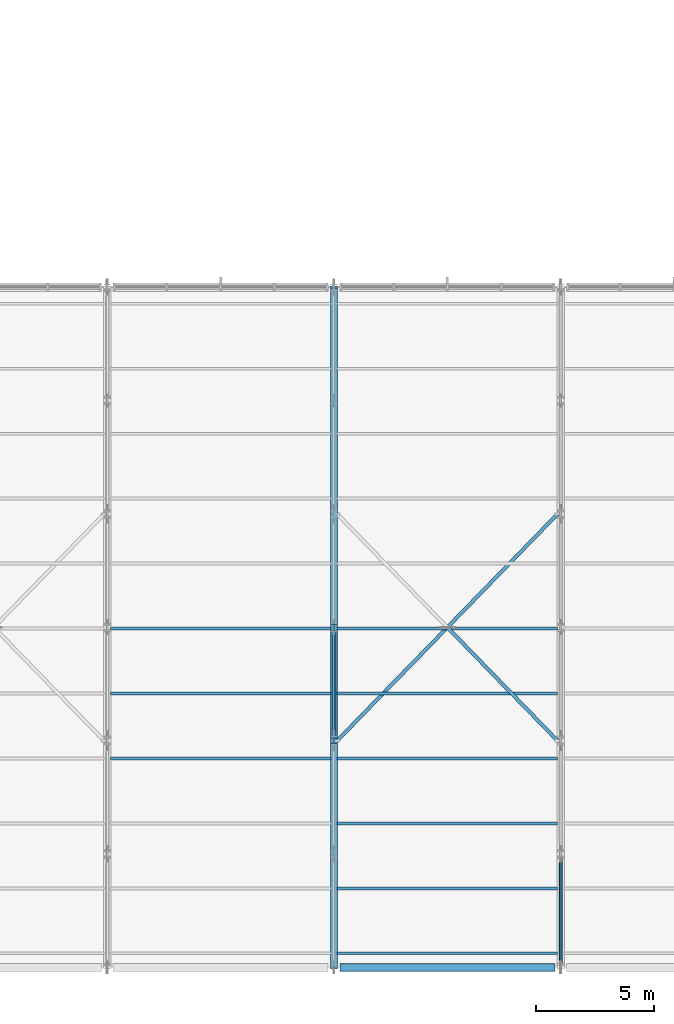
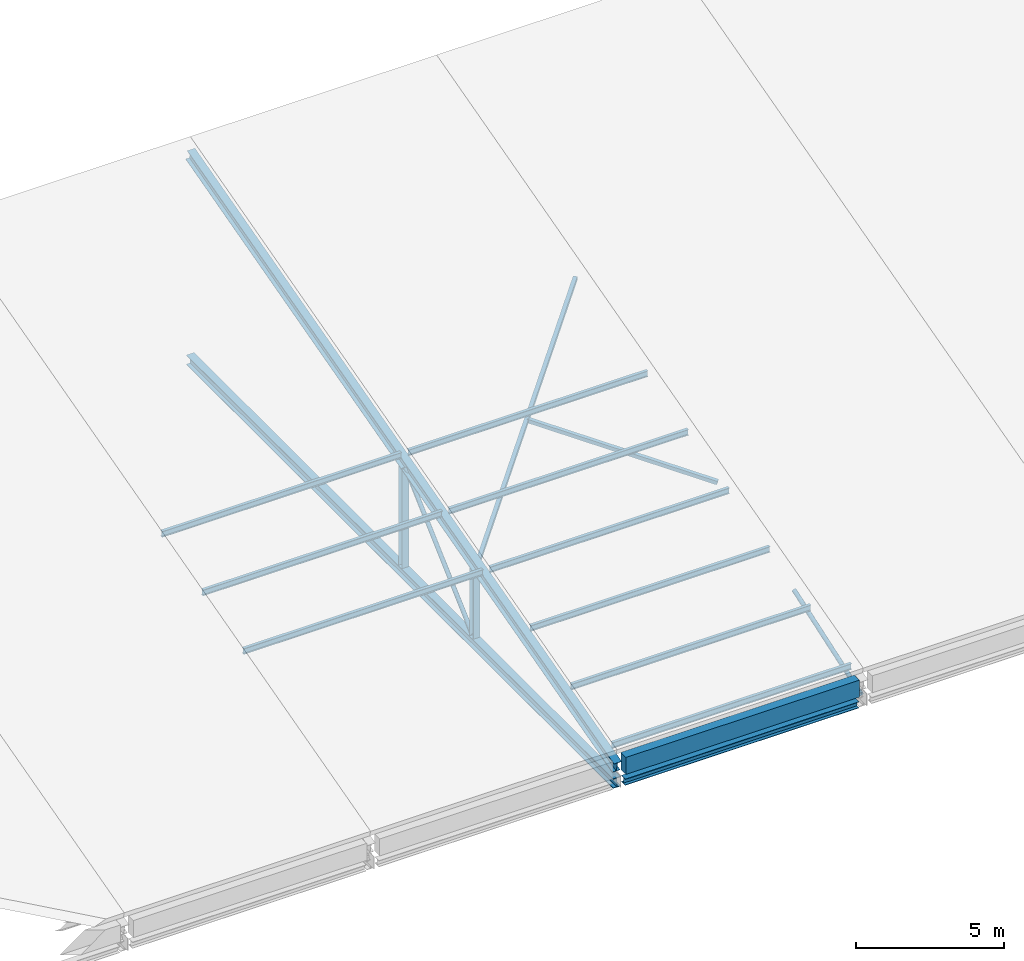
# One storey, part 7 of 57: 16 members, 3 beams.
"""IFC4 building model written with IfcOpenShell, lengths in metres."""

from ifc_helpers import new_model, si_unit, direction, frame, origin, origin_2d, place, context, subcontext, project, spatial, rectangle, hollow_rectangle, hollow_circle, i_section, extrude, material, material_profile, profile_set, type_object, element, save


model = new_model("IFC4")

# Units and contexts
model_context = context("Model", 3, precision=1e-05, world=origin(), true_north=direction((0.0, 1.0)))
body_context = subcontext(model_context, "Body", "Model", "MODEL_VIEW")
ifc_project = project(units=[si_unit("LENGTHUNIT", "METRE"), si_unit("AREAUNIT", "SQUARE_METRE"), si_unit("VOLUMEUNIT", "CUBIC_METRE"), si_unit("PLANEANGLEUNIT", "RADIAN"), si_unit("MASSUNIT", "GRAM", prefix="KILO")], contexts=[model_context])

# Site, building, storey
site_placement = place(None, origin())
site = spatial("IfcSite", under=ifc_project, at=site_placement, CompositionType="ELEMENT")
building_placement = place(site_placement, origin())
building = spatial("IfcBuilding", under=site, at=building_placement, Name="Shalvenor Court Art Gallery", CompositionType="ELEMENT")
storey_placement = place(building_placement, frame((0.0, 0.0, 16.800048828125)))
storey = spatial("IfcBuildingStorey", under=building, at=storey_placement, Name="L03", CompositionType="ELEMENT", Elevation=16.800048828125)

# Members
ifc_material_1 = material(Name="Steel S355", Category="steel")
ifc_material_profile_1 = material_profile(ifc_material_1, i_section(OverallWidth=0.1201171875, OverallDepth=0.239990234375, WebThickness=0.006103515625, FlangeThickness=0.009765625, at=origin_2d()), Name="IPE 240")
ifc_profile_set_1 = profile_set([ifc_material_profile_1], Name="Steel S355")
member_type_1 = type_object("IfcMemberType", Name="PR-02", PredefinedType="PURLIN", material=ifc_profile_set_1)
for number, where, z_axis, x_axis, name in (
    (1, (28.93505859375, 8.85009765625, 2.0205078125), (1.0, 0.0, 0.0), (0.0, 1.0, 0.0), "L03 V4 Roof Purlin 4.4"),
    (2, (28.93505859375, 11.60009765625, 2.765380859375), (1.0, 0.0, 0.0), (0.0, 1.0, 0.0), "L03 V4 Roof Purlin 4.5"),
    (3, (28.93505859375, 14.35009765625, 3.51025390625), (1.0, 0.0, 0.0), (0.0, 1.0, 0.0), "L03 V4 Roof Purlin 4.6"),
):
    element("IfcMember", number, at=place(storey_placement, frame(where, z_axis=z_axis, x_axis=x_axis)), inside=storey, type_object=member_type_1, Name=name, PredefinedType="PURLIN", context=body_context, shape_type="SweptSolid", body=[
        extrude(i_section(OverallWidth=0.1201171875, OverallDepth=0.239990234375, WebThickness=0.006103515625, FlangeThickness=0.009765625, at=origin_2d()), origin(), (0.0, 0.0, 1.0), 9.329833984375),
    ])
for number, where, z_axis, x_axis, name in (
    (4, (38.534912109375, 0.60009765625, -0.2138671875), (1.0, 0.0, 0.0), (0.0, 1.0, 0.0), "L03 V4 Roof Purlin 5.1"),
    (5, (38.534912109375, 3.35009765625, 0.531005859375), (1.0, 0.0, 0.0), (0.0, 1.0, 0.0), "L03 V4 Roof Purlin 5.2"),
    (6, (38.534912109375, 6.10009765625, 1.275634765625), (1.0, 0.0, 0.0), (0.0, 1.0, 0.0), "L03 V4 Roof Purlin 5.3"),
    (7, (38.534912109375, 8.85009765625, 2.0205078125), (1.0, 0.0, 0.0), (0.0, 1.0, 0.0), "L03 V4 Roof Purlin 5.4"),
    (8, (38.534912109375, 11.60009765625, 2.765380859375), (1.0, 0.0, 0.0), (0.0, 1.0, 0.0), "L03 V4 Roof Purlin 5.5"),
    (9, (38.534912109375, 14.35009765625, 3.51025390625), (1.0, 0.0, 0.0), (0.0, 1.0, 0.0), "L03 V4 Roof Purlin 5.6"),
):
    element("IfcMember", number, at=place(storey_placement, frame(where, z_axis=z_axis, x_axis=x_axis)), inside=storey, type_object=member_type_1, Name=name, PredefinedType="PURLIN", context=body_context, shape_type="SweptSolid", body=[
        extrude(i_section(OverallWidth=0.1201171875, OverallDepth=0.239990234375, WebThickness=0.006103515625, FlangeThickness=0.009765625, at=origin_2d()), origin(), (0.0, 0.0, 1.0), 9.330078125),
    ])

# Beams
ifc_material_2 = material(Name="Concrete C40/50", Category="concrete")
ifc_material_profile_2 = material_profile(ifc_material_2, rectangle(XDim=0.35009765625, YDim=0.699951171875, at=origin_2d()), Name="RC 350x700")
ifc_profile_set_2 = profile_set([ifc_material_profile_2], Name="Concrete C40/50")
beam_type_1 = type_object("IfcBeamType", Name="SP-01", PredefinedType="SPANDREL", material=ifc_profile_set_2)
beam_1_placement = place(storey_placement, frame((38.64990234375, 0.0, -0.650146484375), z_axis=(1.0, 0.0, 0.0), x_axis=(0.0, 1.0, 0.0)))
element("IfcBeam", 10, at=beam_1_placement, inside=storey, type_object=beam_type_1, Name="L03 Spandrel Girder BM-L03-SP-01-1044", PredefinedType="SPANDREL", context=body_context, shape_type="SweptSolid", body=[
    extrude(rectangle(XDim=0.35009765625, YDim=0.699951171875, at=origin_2d()), origin(), (0.0, 0.0, 1.0), 9.10009765625),
])
ifc_material_3 = material(Name="Steel S355", Category="steel")
ifc_material_profile_3 = material_profile(ifc_material_3, i_section(OverallWidth=0.300048828125, OverallDepth=0.43994140625, WebThickness=0.011474609375, FlangeThickness=0.02099609375, at=origin_2d()), Name="HEA 450")
ifc_profile_set_3 = profile_set([ifc_material_profile_3], Name="Steel S355")
beam_type_2 = type_object("IfcBeamType", Name="TC-02", PredefinedType="USERDEFINED", material=ifc_profile_set_3)
beam_2_placement = place(storey_placement, frame((38.39990234375, 0.0, -0.708251953125), z_axis=(0.0, 0.965228135416, 0.261408964271), x_axis=(-1.0, 0.0, 0.0)))
element("IfcBeam", 11, at=beam_2_placement, inside=storey, type_object=beam_type_2, Name="TR-V4-05 Roof Truss Continuous Top Chord", ObjectType="ROOF TRUSS", PredefinedType="USERDEFINED", context=body_context, shape_type="SweptSolid", body=[
    extrude(i_section(OverallWidth=0.300048828125, OverallDepth=0.43994140625, WebThickness=0.011474609375, FlangeThickness=0.02099609375, at=origin_2d()), origin(), (0.0, 0.0, 1.0), 29.837646484375),
])
ifc_material_4 = material(Name="Steel S355", Category="steel")
ifc_material_profile_4 = material_profile(ifc_material_4, i_section(OverallWidth=0.300048828125, OverallDepth=0.39990234375, WebThickness=0.013427734375, FlangeThickness=0.02392578125, at=origin_2d()), Name="HEB 400")
ifc_profile_set_4 = profile_set([ifc_material_profile_4], Name="Steel S355")
beam_type_3 = type_object("IfcBeamType", Name="TC-04", PredefinedType="USERDEFINED", material=ifc_profile_set_4)
beam_3_placement = place(storey_placement, frame((38.39990234375, 0.0, -1.35009765625), z_axis=(0.0, 1.0, 0.0), x_axis=(-1.0, 0.0, 0.0)))
element("IfcBeam", 12, at=beam_3_placement, inside=storey, type_object=beam_type_3, Name="TR-V4-05 Roof Truss Continuous Bottom Chord", ObjectType="ROOF TRUSS", PredefinedType="USERDEFINED", context=body_context, shape_type="SweptSolid", body=[
    extrude(i_section(OverallWidth=0.300048828125, OverallDepth=0.39990234375, WebThickness=0.013427734375, FlangeThickness=0.02392578125, at=origin_2d()), origin(), (0.0, 0.0, 1.0), 28.800048828125),
])

# Members
ifc_material_5 = material(Name="Steel S355", Category="steel")
ifc_material_profile_5 = material_profile(ifc_material_5, hollow_rectangle(XDim=0.14990234375, YDim=0.14990234375, WallThickness=0.008056640625, at=origin_2d()), Name="SHS 150x150x8.0")
ifc_profile_set_5 = profile_set([ifc_material_profile_5], Name="Steel S355")
member_type_2 = type_object("IfcMemberType", Name="TM-B1", PredefinedType="BRACE", material=ifc_profile_set_5)
member_1_placement = place(storey_placement, frame((38.534912109375, 9.60009765625, 1.8916015625), z_axis=(0.684173278342, 0.703955868685, 0.190664784759), x_axis=(-0.717111125885, 0.696958846082, 0.0)))
element("IfcMember", 13, at=member_1_placement, inside=storey, type_object=member_type_2, Name="L03 V4 Roof Plan Brace 5.1", PredefinedType="BRACE", context=body_context, shape_type="SweptSolid", body=[
    extrude(hollow_rectangle(XDim=0.14990234375, YDim=0.14990234375, WallThickness=0.008056640625, at=origin_2d()), origin(), (0.0, 0.0, 1.0), 13.636962890625),
])
member_2_placement = place(storey_placement, frame((47.864990234375, 9.60009765625, 1.8916015625), z_axis=(-0.684173061882, 0.703959927151, 0.190650576608), x_axis=(-0.71711324433, -0.696956666376, 0.0)))
element("IfcMember", 14, at=member_2_placement, inside=storey, type_object=member_type_2, Name="L03 V4 Roof Plan Brace 5.2A", PredefinedType="BRACE", context=body_context, shape_type="SweptSolid", body=[
    extrude(hollow_rectangle(XDim=0.14990234375, YDim=0.14990234375, WallThickness=0.008056640625, at=origin_2d()), origin(), (0.0, 0.0, 1.0), 6.798583984375),
])
ifc_material_6 = material(Name="Steel S355", Category="steel")
ifc_material_profile_6 = material_profile(ifc_material_6, i_section(OverallWidth=0.260009765625, OverallDepth=0.260009765625, WebThickness=0.010009765625, FlangeThickness=0.017578125, at=origin_2d()), Name="HEB 260")
ifc_profile_set_6 = profile_set([ifc_material_profile_6], Name="Steel S355")
member_type_3 = type_object("IfcMemberType", Name="TM-C1", PredefinedType="CHORD", material=ifc_profile_set_6)
member_3_placement = place(storey_placement, frame((38.64990234375, 0.0, -1.35009765625), z_axis=(1.0, 0.0, 0.0), x_axis=(0.0, 1.0, 0.0)))
element("IfcMember", 15, at=member_3_placement, inside=storey, type_object=member_type_3, Name="L03 V4 Eave Truss Chord Tie 5.1", PredefinedType="CHORD", context=body_context, shape_type="SweptSolid", body=[
    extrude(i_section(OverallWidth=0.260009765625, OverallDepth=0.260009765625, WebThickness=0.010009765625, FlangeThickness=0.017578125, at=origin_2d()), origin(), (0.0, 0.0, 1.0), 9.10009765625),
])
ifc_material_7 = material(Name="Steel S355", Category="steel")
ifc_material_profile_7 = material_profile(ifc_material_7, hollow_circle(Radius=0.084228515625, WallThickness=0.008056640625, at=origin_2d()), Name="CHS 168.3x8.0")
ifc_profile_set_7 = profile_set([ifc_material_profile_7], Name="Steel S355")
member_type_4 = type_object("IfcMemberType", Name="TM-D2", PredefinedType="BRACE", material=ifc_profile_set_7)
member_4_placement = place(storey_placement, frame((38.39990234375, 9.739990234375, -1.16015625), z_axis=(0.0, 0.737276451266, 0.675591174016), x_axis=(-1.0, 0.0, 0.0)))
element("IfcMember", 16, at=member_4_placement, inside=storey, type_object=member_type_4, Name="TR-V4-05 Roof Truss Diagonal 3", PredefinedType="BRACE", context=body_context, shape_type="SweptSolid", body=[
    extrude(hollow_circle(Radius=0.084228515625, WallThickness=0.008056640625, at=origin_2d()), origin(), (0.0, 0.0, 1.0), 6.130615234375),
])
member_5_placement = place(storey_placement, frame((48.0, 0.139892578125, -1.16015625), z_axis=(0.0, 0.946456948747, 0.322830054625), x_axis=(-1.0, 0.0, 0.0)))
element("IfcMember", 17, at=member_5_placement, inside=storey, type_object=member_type_4, Name="TR-V4-06 Roof Truss Diagonal 1", PredefinedType="BRACE", context=body_context, shape_type="SweptSolid", body=[
    extrude(hollow_circle(Radius=0.084228515625, WallThickness=0.008056640625, at=origin_2d()), origin(), (0.0, 0.0, 1.0), 4.775634765625),
])
ifc_material_8 = material(Name="Steel S355", Category="steel")
ifc_material_profile_8 = material_profile(ifc_material_8, i_section(OverallWidth=0.260009765625, OverallDepth=0.260009765625, WebThickness=0.010009765625, FlangeThickness=0.017578125, at=origin_2d()), Name="HEB 260")
ifc_profile_set_8 = profile_set([ifc_material_profile_8], Name="Steel S355")
member_type_5 = type_object("IfcMemberType", Name="TM-V1", PredefinedType="STRUT", material=ifc_profile_set_8)
member_6_placement = place(storey_placement, frame((38.39990234375, 9.60009765625, -1.155029296875), z_axis=(0.0, 0.0, 1.0), x_axis=(1.0, 0.0, 0.0)))
element("IfcMember", 18, at=member_6_placement, inside=storey, type_object=member_type_5, Name="TR-V4-05 Roof Truss Vertical 3", PredefinedType="STRUT", context=body_context, shape_type="SweptSolid", body=[
    extrude(i_section(OverallWidth=0.260009765625, OverallDepth=0.260009765625, WebThickness=0.010009765625, FlangeThickness=0.017578125, at=origin_2d()), origin(), (0.0, 0.0, 1.0), 2.831787109375),
])
member_7_placement = place(storey_placement, frame((38.39990234375, 14.39990234375, -1.155029296875), z_axis=(0.0, 0.0, 1.0), x_axis=(1.0, 0.0, 0.0)))
element("IfcMember", 19, at=member_7_placement, inside=storey, type_object=member_type_5, Name="TR-V4-05 Roof Truss Vertical 4", PredefinedType="STRUT", context=body_context, shape_type="SweptSolid", body=[
    extrude(i_section(OverallWidth=0.260009765625, OverallDepth=0.260009765625, WebThickness=0.010009765625, FlangeThickness=0.017578125, at=origin_2d()), origin(), (0.0, 0.0, 1.0), 4.131591796875),
])

save(model, "model.ifc")
